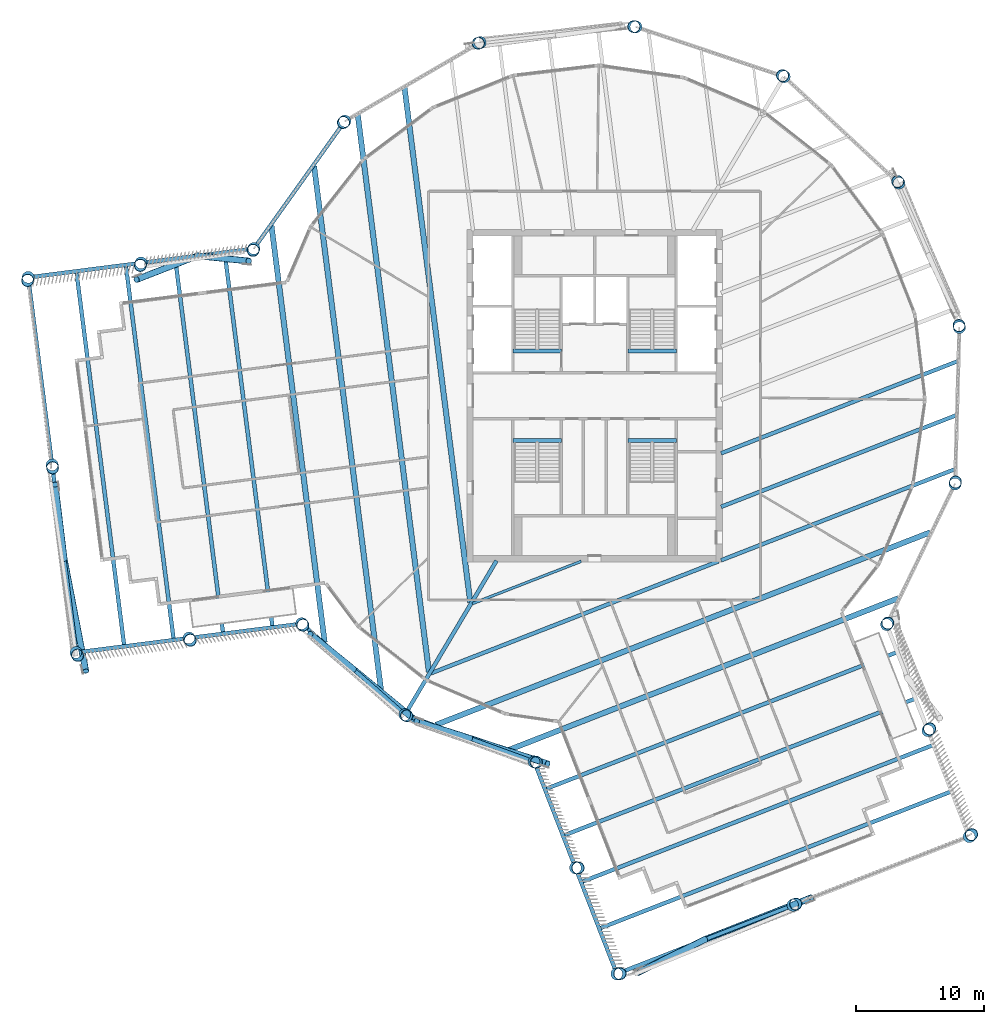
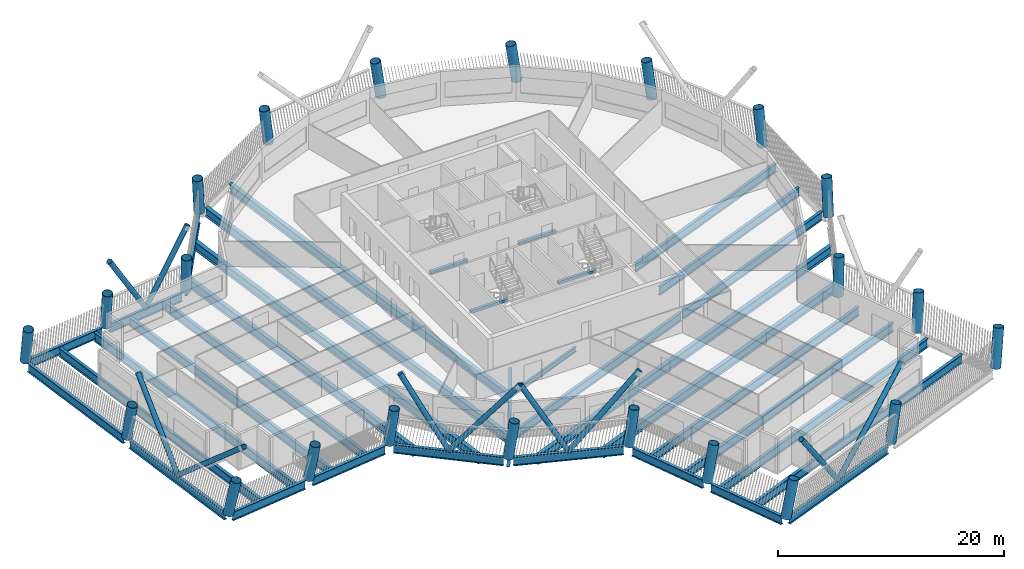
# One storey, part 1 of 20: 36 beams, 22 columns, 10 members.
"""IFC4 building model written with IfcOpenShell, lengths in metres."""

from ifc_helpers import new_model, si_unit, direction, frame, origin, origin_2d, place, context, subcontext, project, spatial, rectangle, hollow_circle, i_section, extrude, material, material_profile, profile_set, type_object, element, save


model = new_model("IFC4")

# Units and contexts
model_context = context("Model", 3, precision=1e-05, world=origin(), true_north=direction((0.0, 1.0)))
body_context = subcontext(model_context, "Body", "Model", "MODEL_VIEW")
ifc_project = project(units=[si_unit("LENGTHUNIT", "METRE"), si_unit("AREAUNIT", "SQUARE_METRE"), si_unit("VOLUMEUNIT", "CUBIC_METRE"), si_unit("PLANEANGLEUNIT", "RADIAN"), si_unit("MASSUNIT", "GRAM", prefix="KILO")], contexts=[model_context])

# Site, building, storey
site_placement = place(None, origin())
site = spatial("IfcSite", under=ifc_project, at=site_placement, CompositionType="ELEMENT")
building_placement = place(site_placement, origin())
building = spatial("IfcBuilding", under=site, at=building_placement, Name="Tarsis Ring Headquarters", CompositionType="ELEMENT")
storey_placement = place(building_placement, frame((0.0, 0.0, 315.800048828125)))
storey = spatial("IfcBuildingStorey", under=building, at=storey_placement, Name="L74", CompositionType="ELEMENT", Elevation=315.800048828125)

# Columns
ifc_material_1 = material(Name="Structural steel S355", Category="steel")
ifc_material_profile_1 = material_profile(ifc_material_1, hollow_circle(Radius=0.482666015625, WallThickness=0.0400390625, at=origin_2d()), Name="CHS 965x40")
ifc_profile_set_1 = profile_set([ifc_material_profile_1], Name="Structural steel S355")
column_type = type_object("IfcColumnType", Name="XC Exo column CHS 965x40", PredefinedType="COLUMN", material=ifc_profile_set_1)
for number, where, z_axis, x_axis, name in (
    (1, (-14.839111328125, -24.972412109375, 0.0009765625), (0.115819700036, -0.067344252164, 0.990984635998), (0.502660717775, 0.86448377822, 0.0), "Exo column XC7 F1"),
    (2, (-4.71923828125, -28.66259765625, 0.0009765625), (0.132391954631, -0.020544649312, 0.990984504285), (0.153345129578, 0.988172693022, 0.0), "Exo column XC7 AK"),
):
    element("IfcColumn", number, at=place(storey_placement, frame(where, z_axis=z_axis, x_axis=x_axis)), inside=storey, type_object=column_type, Name=name, PredefinedType="COLUMN", context=body_context, shape_type="SweptSolid", body=[
        extrude(hollow_circle(Radius=0.482666015625, WallThickness=0.0400390625, at=origin_2d()), origin(), (0.0, 0.0, 1.0), 3.933349609375),
    ])
column_1_placement = place(storey_placement, frame((-1.48828125, -36.957763671875, 0.001220703125), z_axis=(0.169579952346, -0.005309019258, 0.985502132964), x_axis=(0.03129154924, 0.99951029957, 0.0)))
element("IfcColumn", 3, at=column_1_placement, inside=storey, type_object=column_type, Name="Exo column XC7 AI1", PredefinedType="COLUMN", context=body_context, shape_type="SweptSolid", body=[
    extrude(hollow_circle(Radius=0.482666015625, WallThickness=0.0400390625, at=origin_2d()), origin(), (0.0, 0.0, 1.0), 3.954833984375),
])
column_2_placement = place(storey_placement, frame((1.74267578125, -45.253173828125, 0.00146484375), z_axis=(0.205975855147, 0.009808374055, 0.978507916624), x_axis=(-0.047565149415, 0.998868137724, 0.0)))
element("IfcColumn", 4, at=column_2_placement, inside=storey, type_object=column_type, Name="Exo column XC7 AT1", PredefinedType="COLUMN", context=body_context, shape_type="SweptSolid", body=[
    extrude(hollow_circle(Radius=0.482666015625, WallThickness=0.0400390625, at=origin_2d()), origin(), (0.0, 0.0, 1.0), 3.982666015625),
])
column_3_placement = place(storey_placement, frame((15.533447265625, -39.881591796875, 0.00146484375), z_axis=(0.181436251135, 0.072500770856, 0.980726529161), x_axis=(-0.371065347877, 0.92860675617, 0.0)))
element("IfcColumn", 5, at=column_3_placement, inside=storey, type_object=column_type, Name="Exo column XC7 AT2", PredefinedType="COLUMN", context=body_context, shape_type="SweptSolid", body=[
    extrude(hollow_circle(Radius=0.482666015625, WallThickness=0.0400390625, at=origin_2d()), origin(), (0.0, 0.0, 1.0), 3.9736328125),
])
column_4_placement = place(storey_placement, frame((29.324462890625, -34.51025390625, 0.00146484375), z_axis=(0.15595281429, 0.134926157332, 0.978505826136), x_axis=(-0.654285214775, 0.756247881139, 0.0)))
element("IfcColumn", 6, at=column_4_placement, inside=storey, type_object=column_type, Name="Exo column XC7 AT3", PredefinedType="COLUMN", context=body_context, shape_type="SweptSolid", body=[
    extrude(hollow_circle(Radius=0.482666015625, WallThickness=0.0400390625, at=origin_2d()), origin(), (0.0, 0.0, 1.0), 3.982666015625),
])
column_5_placement = place(storey_placement, frame((26.093505859375, -26.215087890625, 0.001220703125), z_axis=(0.119144852628, 0.120749912819, 0.985506957178), x_axis=(-0.711821877306, 0.702360032311, 0.0)))
element("IfcColumn", 7, at=column_5_placement, inside=storey, type_object=column_type, Name="Exo column XC7 AO1", PredefinedType="COLUMN", context=body_context, shape_type="SweptSolid", body=[
    extrude(hollow_circle(Radius=0.482666015625, WallThickness=0.0400390625, at=origin_2d()), origin(), (0.0, 0.0, 1.0), 3.954833984375),
])
for number, where, z_axis, x_axis, name in (
    (8, (22.862548828125, -17.919921875, 0.0009765625), (0.081682029851, 0.106199052489, 0.990984261858), (-0.792658431856, 0.609665982655, 0.0), "Exo column XC7 AJ"),
    (9, (28.21630859375, -6.903076171875, 0.0009765625), (0.030661862731, 0.130406019429, 0.990986437985), (-0.973453614654, 0.228884381551, 0.0), "Exo column XC7 R1"),
    (10, (28.55322265625, 5.341064453125, 0.0009765625), (-0.02582047903, 0.131460996598, 0.990985019683), (-0.98125194978, -0.192729372573, 0.0), "Exo column XC7 R2"),
    (11, (23.813232421875, 16.6357421875, 0.0009765625), (-0.077709847442, 0.109116542973, 0.990986760588), (-0.814546643886, -0.580098064929, 0.0), "Exo column XC7 R3"),
    (12, (14.839111328125, 24.972412109375, 0.0009765625), (-0.115819700036, 0.067344252164, 0.990984635998), (-0.502660717775, -0.86448377822, 0.0), "Exo column XC7 R4"),
    (13, (3.2265625, 28.86865234375, 0.0009765625), (-0.133261117963, 0.013717143489, 0.990986031392), (-0.102393303415, -0.994743992903, 0.0), "Exo column XC7 R5"),
    (14, (-8.959716796875, 27.63232421875, 0.0009765625), (-0.127054024884, -0.042516857374, 0.990984153052), (0.317339394893, -0.948312031163, 0.0), "Exo column XC7 R6"),
    (15, (-19.552978515625, 21.482421875, 0.0009765625), (-0.098254560564, -0.0910546054, 0.990986932388), (0.679722110724, -0.733469735022, 0.0), "Exo column XC7 R7"),
    (16, (-26.66943359375, 11.51318359375, 0.0009765625), (-0.052013430432, -0.12345431161, 0.990986193647), (0.921548138245, -0.388264122599, 0.0), "Exo column XC7 BJ"),
):
    element("IfcColumn", number, at=place(storey_placement, frame(where, z_axis=z_axis, x_axis=x_axis)), inside=storey, type_object=column_type, Name=name, PredefinedType="COLUMN", context=body_context, shape_type="SweptSolid", body=[
        extrude(hollow_circle(Radius=0.482666015625, WallThickness=0.0400390625, at=origin_2d()), origin(), (0.0, 0.0, 1.0), 3.933349609375),
    ])
column_6_placement = place(storey_placement, frame((-35.5, 10.385009765625, 0.001220703125), z_axis=(-0.04617639947, -0.163222460159, 0.985508076391), x_axis=(0.962234828699, -0.272220745789, 0.0)))
element("IfcColumn", 17, at=column_6_placement, inside=storey, type_object=column_type, Name="Exo column XC7 BO1", PredefinedType="COLUMN", context=body_context, shape_type="SweptSolid", body=[
    extrude(hollow_circle(Radius=0.482666015625, WallThickness=0.0400390625, at=origin_2d()), origin(), (0.0, 0.0, 1.0), 3.954833984375),
])
column_7_placement = place(storey_placement, frame((-44.33056640625, 9.2568359375, 0.00146484375), z_axis=(-0.040275647313, -0.202236469539, 0.978508192414), x_axis=(0.980740425126, -0.195315689393, 0.0)))
element("IfcColumn", 18, at=column_7_placement, inside=storey, type_object=column_type, Name="Exo column XC7 BT3", PredefinedType="COLUMN", context=body_context, shape_type="SweptSolid", body=[
    extrude(hollow_circle(Radius=0.482666015625, WallThickness=0.0400390625, at=origin_2d()), origin(), (0.0, 0.0, 1.0), 3.982666015625),
])
column_8_placement = place(storey_placement, frame((-42.454833984375, -5.423828125, 0.00146484375), z_axis=(0.026481431094, -0.193541781778, 0.980734578014), x_axis=(0.990768819066, 0.135562336831, 0.0)))
element("IfcColumn", 19, at=column_8_placement, inside=storey, type_object=column_type, Name="Exo column XC7 BT2", PredefinedType="COLUMN", context=body_context, shape_type="SweptSolid", body=[
    extrude(hollow_circle(Radius=0.482666015625, WallThickness=0.0400390625, at=origin_2d()), origin(), (0.0, 0.0, 1.0), 3.9736328125),
])
column_9_placement = place(storey_placement, frame((-40.579345703125, -20.1044921875, 0.00146484375), z_axis=(0.093240112674, -0.183966849529, 0.978500117355), x_axis=(0.891976651067, 0.452081468268, 0.0)))
element("IfcColumn", 20, at=column_9_placement, inside=storey, type_object=column_type, Name="Exo column XC7 BT1", PredefinedType="COLUMN", context=body_context, shape_type="SweptSolid", body=[
    extrude(hollow_circle(Radius=0.482666015625, WallThickness=0.0400390625, at=origin_2d()), origin(), (0.0, 0.0, 1.0), 3.982666015625),
])
column_10_placement = place(storey_placement, frame((-31.7490234375, -18.976318359375, 0.001220703125), z_axis=(0.088401186428, -0.144824848714, 0.985500377186), x_axis=(0.853551527954, 0.521008434795, 0.0)))
element("IfcColumn", 21, at=column_10_placement, inside=storey, type_object=column_type, Name="Exo column XC7 BI1", PredefinedType="COLUMN", context=body_context, shape_type="SweptSolid", body=[
    extrude(hollow_circle(Radius=0.482666015625, WallThickness=0.0400390625, at=origin_2d()), origin(), (0.0, 0.0, 1.0), 3.954833984375),
])
column_11_placement = place(storey_placement, frame((-22.91845703125, -17.84814453125, 0.0009765625), z_axis=(0.083233999076, -0.104958010767, 0.990987344709), x_axis=(0.783528793738, 0.621355477471, 0.0)))
element("IfcColumn", 22, at=column_11_placement, inside=storey, type_object=column_type, Name="Exo column XC7 BK", PredefinedType="COLUMN", context=body_context, shape_type="SweptSolid", body=[
    extrude(hollow_circle(Radius=0.482666015625, WallThickness=0.0400390625, at=origin_2d()), origin(), (0.0, 0.0, 1.0), 3.933349609375),
])

# Beams
ifc_material_profile_2 = material_profile(ifc_material_1, i_section(OverallWidth=0.209228515625, OverallDepth=0.533447265625, WebThickness=0.01025390625, FlangeThickness=0.015625, at=origin_2d()), Name="W21x62")
ifc_profile_set_2 = profile_set([ifc_material_profile_2], Name="Structural steel S355")
beam_type_1 = type_object("IfcBeamType", Name="FB Floor beam W21x62", PredefinedType="JOIST", material=ifc_profile_set_2)
beam_1_placement = place(storey_placement, frame((-9.566650390625, -16.2822265625, -0.4267578125), z_axis=(0.931810114373, 0.362946154068, 0.0), x_axis=(-0.362946154068, 0.931810114373, 0.0)))
element("IfcBeam", 23, at=beam_1_placement, inside=storey, type_object=beam_type_1, Name="Floor beam FB3", PredefinedType="JOIST", context=body_context, shape_type="SweptSolid", body=[
    extrude(i_section(OverallWidth=0.209228515625, OverallDepth=0.533447265625, WebThickness=0.01025390625, FlangeThickness=0.015625, at=origin_2d()), origin(), (0.0, 0.0, 1.0), 9.1435546875),
])
ifc_material_profile_3 = material_profile(ifc_material_1, i_section(OverallWidth=0.3046875, OverallDepth=0.904296875, WebThickness=0.01513671875, FlangeThickness=0.02001953125, at=origin_2d()), Name="W36x135")
ifc_profile_set_3 = profile_set([ifc_material_profile_3], Name="Structural steel S355")
beam_type_2 = type_object("IfcBeamType", Name="FB Floor beam W36x135", PredefinedType="JOIST", material=ifc_profile_set_3)
beam_2_placement = place(storey_placement, frame((9.90673828125, -4.51220703125, -0.612060546875), z_axis=(0.931817500144, 0.362927191632, 0.0), x_axis=(-0.362927191632, 0.931817500144, 0.0)))
element("IfcBeam", 24, at=beam_2_placement, inside=storey, type_object=beam_type_2, Name="Floor beam FB8", PredefinedType="JOIST", context=body_context, shape_type="SweptSolid", body=[
    extrude(i_section(OverallWidth=0.3046875, OverallDepth=0.904296875, WebThickness=0.01513671875, FlangeThickness=0.02001953125, at=origin_2d()), origin(), (0.0, 0.0, 1.0), 19.865478515625),
])
beam_3_placement = place(storey_placement, frame((9.90673828125, -8.697509765625, -0.612060546875), z_axis=(0.931818405853, 0.36292486621, 0.0), x_axis=(-0.36292486621, 0.931818405853, 0.0)))
element("IfcBeam", 25, at=beam_3_placement, inside=storey, type_object=beam_type_2, Name="Floor beam FB8", PredefinedType="JOIST", context=body_context, shape_type="SweptSolid", body=[
    extrude(i_section(OverallWidth=0.3046875, OverallDepth=0.904296875, WebThickness=0.01513671875, FlangeThickness=0.02001953125, at=origin_2d()), origin(), (0.0, 0.0, 1.0), 19.740478515625),
])
beam_4_placement = place(storey_placement, frame((9.90673828125, -12.883056640625, -0.612060546875), z_axis=(0.931815113978, 0.362933318065, 0.0), x_axis=(-0.362933318065, 0.931815113978, 0.0)))
element("IfcBeam", 26, at=beam_4_placement, inside=storey, type_object=beam_type_2, Name="Floor beam FB8", PredefinedType="JOIST", context=body_context, shape_type="SweptSolid", body=[
    extrude(i_section(OverallWidth=0.3046875, OverallDepth=0.904296875, WebThickness=0.01513671875, FlangeThickness=0.02001953125, at=origin_2d()), origin(), (0.0, 0.0, 1.0), 19.615478515625),
])
ifc_material_profile_4 = material_profile(ifc_material_1, i_section(OverallWidth=0.3046875, OverallDepth=0.91943359375, WebThickness=0.017333984375, FlangeThickness=0.02783203125, at=origin_2d()), Name="W36x170")
ifc_profile_set_4 = profile_set([ifc_material_profile_4], Name="Structural steel S355")
beam_type_3 = type_object("IfcBeamType", Name="FB Floor beam W36x170", PredefinedType="JOIST", material=ifc_profile_set_4)
beam_5_placement = place(storey_placement, frame((-12.802734375, -21.727783203125, -0.619873046875), z_axis=(0.931818423686, 0.362924820422, 0.0), x_axis=(-0.362924820422, 0.931818423686, 0.0)))
element("IfcBeam", 27, at=beam_5_placement, inside=storey, type_object=beam_type_3, Name="Floor beam FB9", PredefinedType="JOIST", context=body_context, shape_type="SweptSolid", body=[
    extrude(i_section(OverallWidth=0.3046875, OverallDepth=0.91943359375, WebThickness=0.017333984375, FlangeThickness=0.02783203125, at=origin_2d()), origin(), (0.0, 0.0, 1.0), 24.148681640625),
])
ifc_material_profile_5 = material_profile(ifc_material_1, i_section(OverallWidth=0.309814453125, OverallDepth=0.949951171875, WebThickness=0.0244140625, FlangeThickness=0.0439453125, at=origin_2d()), Name="W36x256")
ifc_profile_set_5 = profile_set([ifc_material_profile_5], Name="Structural steel S355")
beam_type_4 = type_object("IfcBeamType", Name="FB Floor beam W36x256", PredefinedType="JOIST", material=ifc_profile_set_5)
beam_6_placement = place(storey_placement, frame((-3.831787109375, -30.7900390625, -0.635009765625), z_axis=(0.931815465019, 0.362932416783, 0.0), x_axis=(-0.362932416783, 0.931815465019, 0.0)))
element("IfcBeam", 28, at=beam_6_placement, inside=storey, type_object=beam_type_4, Name="Floor beam FB11", PredefinedType="JOIST", context=body_context, shape_type="SweptSolid", body=[
    extrude(i_section(OverallWidth=0.309814453125, OverallDepth=0.949951171875, WebThickness=0.0244140625, FlangeThickness=0.0439453125, at=origin_2d()), origin(), (0.0, 0.0, 1.0), 29.489990234375),
])
for number, where, z_axis, x_axis, name in (
    (29, (-2.41650390625, -34.424072265625, -0.635009765625), (0.931819355184, 0.362922428769, 0.0), (-0.362922428769, 0.931819355184, 0.0), "Floor beam FB11"),
    (30, (-1.0009765625, -38.05810546875, -0.635009765625), (0.931819355184, 0.362922428769, 0.0), (-0.362922428769, 0.931819355184, 0.0), "Floor beam FB11"),
    (31, (0.414306640625, -41.6923828125, -0.635009765625), (0.931816555484, 0.362929617043, 0.0), (-0.362929617043, 0.931816555484, 0.0), "Floor beam FB11"),
    (32, (-28.948486328125, 11.166748046875, -0.635009765625), (0.126722184997, -0.991938247992, 0.0), (0.991938247992, 0.126722184997, 0.0), "Floor beam FB11"),
    (33, (-32.81689453125, 10.672607421875, -0.635009765625), (0.12671403922, -0.991939288598, 0.0), (0.991939288598, 0.12671403922, 0.0), "Floor beam FB11"),
    (34, (-36.685546875, 10.178466796875, -0.635009765625), (0.126722184997, -0.991938247992, 0.0), (0.991938247992, 0.126722184997, 0.0), "Floor beam FB11"),
):
    element("IfcBeam", number, at=place(storey_placement, frame(where, z_axis=z_axis, x_axis=x_axis)), inside=storey, type_object=beam_type_4, Name=name, PredefinedType="JOIST", context=body_context, shape_type="SweptSolid", body=[
        extrude(i_section(OverallWidth=0.309814453125, OverallDepth=0.949951171875, WebThickness=0.0244140625, FlangeThickness=0.0439453125, at=origin_2d()), origin(), (0.0, 0.0, 1.0), 29.490234375),
    ])
beam_7_placement = place(storey_placement, frame((-40.55419921875, 9.68408203125, -0.635009765625), z_axis=(0.126723225644, -0.991938115047, 0.0), x_axis=(0.991938115047, 0.126723225644, 0.0)))
element("IfcBeam", 35, at=beam_7_placement, inside=storey, type_object=beam_type_4, Name="Floor beam FB11", PredefinedType="JOIST", context=body_context, shape_type="SweptSolid", body=[
    extrude(i_section(OverallWidth=0.309814453125, OverallDepth=0.949951171875, WebThickness=0.0244140625, FlangeThickness=0.0439453125, at=origin_2d()), origin(), (0.0, 0.0, 1.0), 29.489990234375),
])
beam_type_5 = type_object("IfcBeamType", Name="FB Floor beam W36x256 spine", PredefinedType="BEAM", material=ifc_profile_set_5)
beam_8_placement = place(storey_placement, frame((-7.673828125, -12.9140625, -0.635009765625), z_axis=(-0.510851675973, -0.859668869482, 0.0), x_axis=(0.859668869482, -0.510851675973, 0.0)))
element("IfcBeam", 36, at=beam_8_placement, inside=storey, type_object=beam_type_5, Name="Floor beam SB11", PredefinedType="BEAM", context=body_context, shape_type="SweptSolid", body=[
    extrude(i_section(OverallWidth=0.309814453125, OverallDepth=0.949951171875, WebThickness=0.0244140625, FlangeThickness=0.0439453125, at=origin_2d()), origin(), (0.0, 0.0, 1.0), 13.96875),
])
ifc_material_profile_6 = material_profile(ifc_material_1, i_section(OverallWidth=0.42431640625, OverallDepth=0.947509765625, WebThickness=0.02392578125, FlangeThickness=0.042724609375, at=origin_2d()), Name="W36x302")
ifc_profile_set_6 = profile_set([ifc_material_profile_6], Name="Structural steel S355")
beam_type_6 = type_object("IfcBeamType", Name="FB Floor beam W36x302", PredefinedType="JOIST", material=ifc_profile_set_6)
beam_9_placement = place(storey_placement, frame((-12.4140625, -25.761962890625, -0.6337890625), z_axis=(0.931817189043, 0.362927990384, 0.0), x_axis=(-0.362927990384, 0.931817189043, 0.0)))
element("IfcBeam", 37, at=beam_9_placement, inside=storey, type_object=beam_type_6, Name="Floor beam FB12", PredefinedType="JOIST", context=body_context, shape_type="SweptSolid", body=[
    extrude(i_section(OverallWidth=0.42431640625, OverallDepth=0.947509765625, WebThickness=0.02392578125, FlangeThickness=0.042724609375, at=origin_2d()), origin(), (0.0, 0.0, 1.0), 41.523681640625),
])
beam_10_placement = place(storey_placement, frame((-6.8642578125, -27.78564453125, -0.6337890625), z_axis=(0.931819470495, 0.362922132703, 0.0), x_axis=(-0.362922132703, 0.931819470495, 0.0)))
element("IfcBeam", 38, at=beam_10_placement, inside=storey, type_object=beam_type_6, Name="Floor beam FB12", PredefinedType="JOIST", context=body_context, shape_type="SweptSolid", body=[
    extrude(i_section(OverallWidth=0.42431640625, OverallDepth=0.947509765625, WebThickness=0.02392578125, FlangeThickness=0.042724609375, at=origin_2d()), origin(), (0.0, 0.0, 1.0), 32.875244140625),
])
beam_11_placement = place(storey_placement, frame((-14.876953125, 24.12451171875, -0.6337890625), z_axis=(0.126717536212, -0.991938841873, 0.0), x_axis=(0.991938841873, 0.126717536212, 0.0)))
element("IfcBeam", 39, at=beam_11_placement, inside=storey, type_object=beam_type_6, Name="Floor beam FB12", PredefinedType="JOIST", context=body_context, shape_type="SweptSolid", body=[
    extrude(i_section(OverallWidth=0.42431640625, OverallDepth=0.947509765625, WebThickness=0.02392578125, FlangeThickness=0.042724609375, at=origin_2d()), origin(), (0.0, 0.0, 1.0), 40.638916015625),
])
beam_12_placement = place(storey_placement, frame((-18.537109375, 21.99951171875, -0.6337890625), z_axis=(0.1267141549, -0.991939273821, 0.0), x_axis=(0.991939273821, 0.1267141549, 0.0)))
element("IfcBeam", 40, at=beam_12_placement, inside=storey, type_object=beam_type_6, Name="Floor beam FB12", PredefinedType="JOIST", context=body_context, shape_type="SweptSolid", body=[
    extrude(i_section(OverallWidth=0.42431640625, OverallDepth=0.947509765625, WebThickness=0.02392578125, FlangeThickness=0.042724609375, at=origin_2d()), origin(), (0.0, 0.0, 1.0), 43.986572265625),
])
beam_13_placement = place(storey_placement, frame((-21.9541015625, 17.96923828125, -0.6337890625), z_axis=(0.126721865559, -0.991938288801, 0.0), x_axis=(0.991938288801, 0.126721865559, 0.0)))
element("IfcBeam", 41, at=beam_13_placement, inside=storey, type_object=beam_type_6, Name="Floor beam FB12", PredefinedType="JOIST", context=body_context, shape_type="SweptSolid", body=[
    extrude(i_section(OverallWidth=0.42431640625, OverallDepth=0.947509765625, WebThickness=0.02392578125, FlangeThickness=0.042724609375, at=origin_2d()), origin(), (0.0, 0.0, 1.0), 41.523681640625),
])
beam_14_placement = place(storey_placement, frame((-25.288818359375, 13.297607421875, -0.6337890625), z_axis=(0.126714130819, -0.991939276897, 0.0), x_axis=(0.991939276897, 0.126714130819, 0.0)))
element("IfcBeam", 42, at=beam_14_placement, inside=storey, type_object=beam_type_6, Name="Floor beam FB12", PredefinedType="JOIST", context=body_context, shape_type="SweptSolid", body=[
    extrude(i_section(OverallWidth=0.42431640625, OverallDepth=0.947509765625, WebThickness=0.02392578125, FlangeThickness=0.042724609375, at=origin_2d()), origin(), (0.0, 0.0, 1.0), 32.875244140625),
])
ifc_material_2 = material(Name="Concrete C40/50", Category="concrete")
ifc_material_profile_7 = material_profile(ifc_material_2, rectangle(XDim=0.300048828125, YDim=0.300048828125, at=origin_2d()), Name="Stair head beam 300x300 C40/50")
ifc_profile_set_7 = profile_set([ifc_material_profile_7], Name="Concrete C40/50")
beam_type_7 = type_object("IfcBeamType", Name="Stair head beam 300x300 C40/50", PredefinedType="BEAM", material=ifc_profile_set_7)
for number, where, z_axis, x_axis, name in (
    (43, (-6.39990234375, 3.510009765625, -0.31005859375), (1.0, 0.0, 0.0), (0.0, 1.0, 0.0), "Stair head beam L74 Firefighting stair"),
    (44, (2.60009765625, 3.510009765625, -0.31005859375), (1.0, 0.0, 0.0), (0.0, 1.0, 0.0), "Stair head beam L74 Exit stair B"),
    (45, (-6.39990234375, -3.510009765625, -0.31005859375), (1.0, 0.0, 0.0), (0.0, 1.0, 0.0), "Stair head beam L74 Exit stair C"),
    (46, (2.60009765625, -3.510009765625, -0.31005859375), (1.0, 0.0, 0.0), (0.0, 1.0, 0.0), "Stair head beam L74 Exit stair D"),
):
    element("IfcBeam", number, at=place(storey_placement, frame(where, z_axis=z_axis, x_axis=x_axis)), inside=storey, type_object=beam_type_7, Name=name, PredefinedType="BEAM", context=body_context, shape_type="SweptSolid", body=[
        extrude(rectangle(XDim=0.300048828125, YDim=0.300048828125, at=origin_2d()), origin(), (0.0, 0.0, 1.0), 3.7998046875),
    ])

# Members
ifc_material_profile_8 = material_profile(ifc_material_1, hollow_circle(Radius=0.25390625, WallThickness=0.02001953125, at=origin_2d()), Name="CHS 508x20")
ifc_profile_set_8 = profile_set([ifc_material_profile_8], Name="Structural steel S355")
member_type = type_object("IfcMemberType", Name="XD X brace CHS 508x20", PredefinedType="BRACE", material=ifc_profile_set_8)
member_1_placement = place(storey_placement, frame((-9.779296875, -26.8173828125, 0.0), z_axis=(0.604074343375, -0.197709359474, 0.772013728409), x_axis=(0.311056542133, 0.950391407577, 0.0)))
element("IfcMember", 47, at=member_1_placement, inside=storey, type_object=member_type, Name="X brace XD2", PredefinedType="BRACE", context=body_context, shape_type="SweptSolid", body=[
    extrude(hollow_circle(Radius=0.25390625, WallThickness=0.02001953125, at=origin_2d()), origin(), (0.0, 0.0, 1.0), 10.103515625),
])
member_2_placement = place(storey_placement, frame((-9.779296875, -26.8173828125, 0.0), z_axis=(-0.463981031039, 0.1481360518, 0.873371234352), x_axis=(-0.304146382259, -0.952625308376, 0.0)))
element("IfcMember", 48, at=member_2_placement, inside=storey, type_object=member_type, Name="X brace XD2", PredefinedType="BRACE", context=body_context, shape_type="SweptSolid", body=[
    extrude(hollow_circle(Radius=0.25390625, WallThickness=0.02001953125, at=origin_2d()), origin(), (0.0, 0.0, 1.0), 8.930908203125),
])
member_3_placement = place(storey_placement, frame((8.6376953125, -42.5673828125, 0.0), z_axis=(0.701731619104, 0.275852835648, 0.6568698104), x_axis=(-0.365850619831, 0.930673586156, 0.0)))
element("IfcMember", 49, at=member_3_placement, inside=storey, type_object=member_type, Name="X brace XD2", PredefinedType="BRACE", context=body_context, shape_type="SweptSolid", body=[
    extrude(hollow_circle(Radius=0.25390625, WallThickness=0.02001953125, at=origin_2d()), origin(), (0.0, 0.0, 1.0), 11.87451171875),
])
member_4_placement = place(storey_placement, frame((8.6376953125, -42.5673828125, 0.0), z_axis=(-0.538584671227, -0.265776181796, 0.799555859906), x_axis=(0.442523878111, -0.896756721358, 0.0)))
element("IfcMember", 50, at=member_4_placement, inside=storey, type_object=member_type, Name="X brace XD2", PredefinedType="BRACE", context=body_context, shape_type="SweptSolid", body=[
    extrude(hollow_circle(Radius=0.25390625, WallThickness=0.02001953125, at=origin_2d()), origin(), (0.0, 0.0, 1.0), 9.75537109375),
])
member_5_placement = place(storey_placement, frame((-31.084716796875, 10.94921875, 0.0), z_axis=(-0.511152936127, -0.199300709648, 0.836063336729), x_axis=(0.363267855541, -0.931684745572, 0.0)))
element("IfcMember", 51, at=member_5_placement, inside=storey, type_object=member_type, Name="X brace XD2", PredefinedType="BRACE", context=body_context, shape_type="SweptSolid", body=[
    extrude(hollow_circle(Radius=0.25390625, WallThickness=0.02001953125, at=origin_2d()), origin(), (0.0, 0.0, 1.0), 9.32958984375),
])
member_6_placement = place(storey_placement, frame((-31.084716796875, 10.94921875, 0.0), z_axis=(0.457155637477, -0.046841425914, 0.888152354014), x_axis=(0.101929094438, 0.994791666485, 0.0)))
element("IfcMember", 52, at=member_6_placement, inside=storey, type_object=member_type, Name="X brace XD2", PredefinedType="BRACE", context=body_context, shape_type="SweptSolid", body=[
    extrude(hollow_circle(Radius=0.25390625, WallThickness=0.02001953125, at=origin_2d()), origin(), (0.0, 0.0, 1.0), 8.7822265625),
])
member_7_placement = place(storey_placement, frame((-41.517333984375, -12.763916015625, 0.0), z_axis=(0.142593817564, -0.740690526054, 0.656539829566), x_axis=(0.981968729408, 0.189043419525, 0.0)))
element("IfcMember", 53, at=member_7_placement, inside=storey, type_object=member_type, Name="X brace XD2", PredefinedType="BRACE", context=body_context, shape_type="SweptSolid", body=[
    extrude(hollow_circle(Radius=0.25390625, WallThickness=0.02001953125, at=origin_2d()), origin(), (0.0, 0.0, 1.0), 11.880615234375),
])
member_8_placement = place(storey_placement, frame((-41.517333984375, -12.763916015625, 0.0), z_axis=(-0.073131976908, 0.595299301072, 0.800169017206), x_axis=(-0.992538402479, -0.121932438691, 0.0)))
element("IfcMember", 54, at=member_8_placement, inside=storey, type_object=member_type, Name="X brace XD2", PredefinedType="BRACE", context=body_context, shape_type="SweptSolid", body=[
    extrude(hollow_circle(Radius=0.25390625, WallThickness=0.02001953125, at=origin_2d()), origin(), (0.0, 0.0, 1.0), 9.748046875),
])
member_9_placement = place(storey_placement, frame((-18.87890625, -21.41015625, 0.0), z_axis=(0.490501859715, -0.404236938331, 0.772010636782), x_axis=(0.635983049635, 0.771703026155, 0.0)))
element("IfcMember", 55, at=member_9_placement, inside=storey, type_object=member_type, Name="X brace XD2", PredefinedType="BRACE", context=body_context, shape_type="SweptSolid", body=[
    extrude(hollow_circle(Radius=0.25390625, WallThickness=0.02001953125, at=origin_2d()), origin(), (0.0, 0.0, 1.0), 10.103515625),
])
member_10_placement = place(storey_placement, frame((-18.87890625, -21.41015625, 0.0), z_axis=(-0.378092316462, 0.307017193709, 0.87337657571), x_axis=(-0.63036650408, -0.776297668768, 0.0)))
element("IfcMember", 56, at=member_10_placement, inside=storey, type_object=member_type, Name="X brace XD2", PredefinedType="BRACE", context=body_context, shape_type="SweptSolid", body=[
    extrude(hollow_circle(Radius=0.25390625, WallThickness=0.02001953125, at=origin_2d()), origin(), (0.0, 0.0, 1.0), 8.930908203125),
])

# Beams
ifc_material_profile_9 = material_profile(ifc_material_1, i_section(OverallWidth=0.309814453125, OverallDepth=0.93212890625, WebThickness=0.02099609375, FlangeThickness=0.034423828125, at=origin_2d()), Name="W36x210")
ifc_profile_set_9 = profile_set([ifc_material_profile_9], Name="Structural steel S355")
beam_type_8 = type_object("IfcBeamType", Name="XG Ring girder W36x210", PredefinedType="BEAM", material=ifc_profile_set_9)
beam_15_placement = place(storey_placement, frame((-14.43115234375, -25.12109375, -0.466064453125), z_axis=(0.939487851697, -0.34258221862, 0.0), x_axis=(0.34258221862, 0.939487851697, 0.0)))
element("IfcBeam", 57, at=beam_15_placement, inside=storey, type_object=beam_type_8, Name="Ring girder XG3", PredefinedType="BEAM", context=body_context, shape_type="SweptSolid", body=[
    extrude(i_section(OverallWidth=0.309814453125, OverallDepth=0.93212890625, WebThickness=0.02099609375, FlangeThickness=0.034423828125, at=origin_2d()), origin(), (0.0, 0.0, 1.0), 9.903076171875),
])
for number, where, z_axis, x_axis, name in (
    (58, (-4.561767578125, -29.0673828125, -0.466064453125), (0.362918442394, -0.931820907777, 0.0), (0.931820907777, 0.362918442394, 0.0), "Ring girder XG3"),
    (59, (-1.330810546875, -37.362548828125, -0.466064453125), (0.362918442394, -0.931820907777, 0.0), (0.931820907777, 0.362918442394, 0.0), "Ring girder XG3"),
):
    element("IfcBeam", number, at=place(storey_placement, frame(where, z_axis=z_axis, x_axis=x_axis)), inside=storey, type_object=beam_type_8, Name=name, PredefinedType="BEAM", context=body_context, shape_type="SweptSolid", body=[
        extrude(i_section(OverallWidth=0.309814453125, OverallDepth=0.93212890625, WebThickness=0.02099609375, FlangeThickness=0.034423828125, at=origin_2d()), origin(), (0.0, 0.0, 1.0), 8.033447265625),
    ])
beam_16_placement = place(storey_placement, frame((2.14697265625, -45.095458984375, -0.466064453125), z_axis=(0.931821036503, 0.362918111881, 0.0), x_axis=(-0.362918111881, 0.931821036503, 0.0)))
element("IfcBeam", 60, at=beam_16_placement, inside=storey, type_object=beam_type_8, Name="Ring girder XG3", PredefinedType="BEAM", context=body_context, shape_type="SweptSolid", body=[
    extrude(i_section(OverallWidth=0.309814453125, OverallDepth=0.93212890625, WebThickness=0.02099609375, FlangeThickness=0.034423828125, at=origin_2d()), origin(), (0.0, 0.0, 1.0), 13.93115234375),
])
beam_17_placement = place(storey_placement, frame((-19.80517578125, 21.129150390625, -0.466064453125), z_axis=(-0.580992616333, -0.813908827674, 0.0), x_axis=(0.813908827674, -0.580992616333, 0.0)))
element("IfcBeam", 61, at=beam_17_placement, inside=storey, type_object=beam_type_8, Name="Ring girder XG3", PredefinedType="BEAM", context=body_context, shape_type="SweptSolid", body=[
    extrude(i_section(OverallWidth=0.309814453125, OverallDepth=0.93212890625, WebThickness=0.02099609375, FlangeThickness=0.034423828125, at=origin_2d()), origin(), (0.0, 0.0, 1.0), 11.380126953125),
])
beam_18_placement = place(storey_placement, frame((-27.100341796875, 11.458251953125, -0.466064453125), z_axis=(-0.991937591841, -0.126727321016, 0.0), x_axis=(0.126727321016, -0.991937591841, 0.0)))
element("IfcBeam", 62, at=beam_18_placement, inside=storey, type_object=beam_type_8, Name="Ring girder XG3", PredefinedType="BEAM", context=body_context, shape_type="SweptSolid", body=[
    extrude(i_section(OverallWidth=0.309814453125, OverallDepth=0.93212890625, WebThickness=0.02099609375, FlangeThickness=0.034423828125, at=origin_2d()), origin(), (0.0, 0.0, 1.0), 8.033447265625),
])
beam_19_placement = place(storey_placement, frame((-35.9306640625, 10.330078125, -0.466064453125), z_axis=(-0.99194189944, -0.126693599423, 0.0), x_axis=(0.126693599423, -0.99194189944, 0.0)))
element("IfcBeam", 63, at=beam_19_placement, inside=storey, type_object=beam_type_8, Name="Ring girder XG3", PredefinedType="BEAM", context=body_context, shape_type="SweptSolid", body=[
    extrude(i_section(OverallWidth=0.309814453125, OverallDepth=0.93212890625, WebThickness=0.02099609375, FlangeThickness=0.034423828125, at=origin_2d()), origin(), (0.0, 0.0, 1.0), 8.03369140625),
])
beam_20_placement = place(storey_placement, frame((-44.275390625, 8.826416015625, -0.466064453125), z_axis=(0.12671957115, -0.991938581913, 0.0), x_axis=(0.991938581913, 0.12671957115, 0.0)))
element("IfcBeam", 64, at=beam_20_placement, inside=storey, type_object=beam_type_8, Name="Ring girder XG3", PredefinedType="BEAM", context=body_context, shape_type="SweptSolid", body=[
    extrude(i_section(OverallWidth=0.309814453125, OverallDepth=0.93212890625, WebThickness=0.02099609375, FlangeThickness=0.034423828125, at=origin_2d()), origin(), (0.0, 0.0, 1.0), 13.931396484375),
])
beam_21_placement = place(storey_placement, frame((-42.39990234375, -5.8544921875, -0.466064453125), z_axis=(0.126721773982, -0.9919383005, 0.0), x_axis=(0.9919383005, 0.126721773982, 0.0)))
element("IfcBeam", 65, at=beam_21_placement, inside=storey, type_object=beam_type_8, Name="Ring girder XG3", PredefinedType="BEAM", context=body_context, shape_type="SweptSolid", body=[
    extrude(i_section(OverallWidth=0.309814453125, OverallDepth=0.93212890625, WebThickness=0.02099609375, FlangeThickness=0.034423828125, at=origin_2d()), origin(), (0.0, 0.0, 1.0), 13.93115234375),
])
for number, where, z_axis, x_axis, name in (
    (66, (-40.148681640625, -20.04931640625, -0.466064453125), (0.991937591841, 0.126727321016, 0.0), (-0.126727321016, 0.991937591841, 0.0), "Ring girder XG3"),
    (67, (-31.318115234375, -18.921142578125, -0.466064453125), (0.991937591841, 0.126727321016, 0.0), (-0.126727321016, 0.991937591841, 0.0), "Ring girder XG3"),
):
    element("IfcBeam", number, at=place(storey_placement, frame(where, z_axis=z_axis, x_axis=x_axis)), inside=storey, type_object=beam_type_8, Name=name, PredefinedType="BEAM", context=body_context, shape_type="SweptSolid", body=[
        extrude(i_section(OverallWidth=0.309814453125, OverallDepth=0.93212890625, WebThickness=0.02099609375, FlangeThickness=0.034423828125, at=origin_2d()), origin(), (0.0, 0.0, 1.0), 8.033447265625),
    ])
beam_22_placement = place(storey_placement, frame((-22.5927734375, -18.13525390625, -0.466064453125), z_axis=(0.750042141939, -0.66139004023, 0.0), x_axis=(0.66139004023, 0.750042141939, 0.0)))
element("IfcBeam", 68, at=beam_22_placement, inside=storey, type_object=beam_type_8, Name="Ring girder XG3", PredefinedType="BEAM", context=body_context, shape_type="SweptSolid", body=[
    extrude(i_section(OverallWidth=0.309814453125, OverallDepth=0.93212890625, WebThickness=0.02099609375, FlangeThickness=0.034423828125, at=origin_2d()), origin(), (0.0, 0.0, 1.0), 9.903076171875),
])

save(model, "model.ifc")
